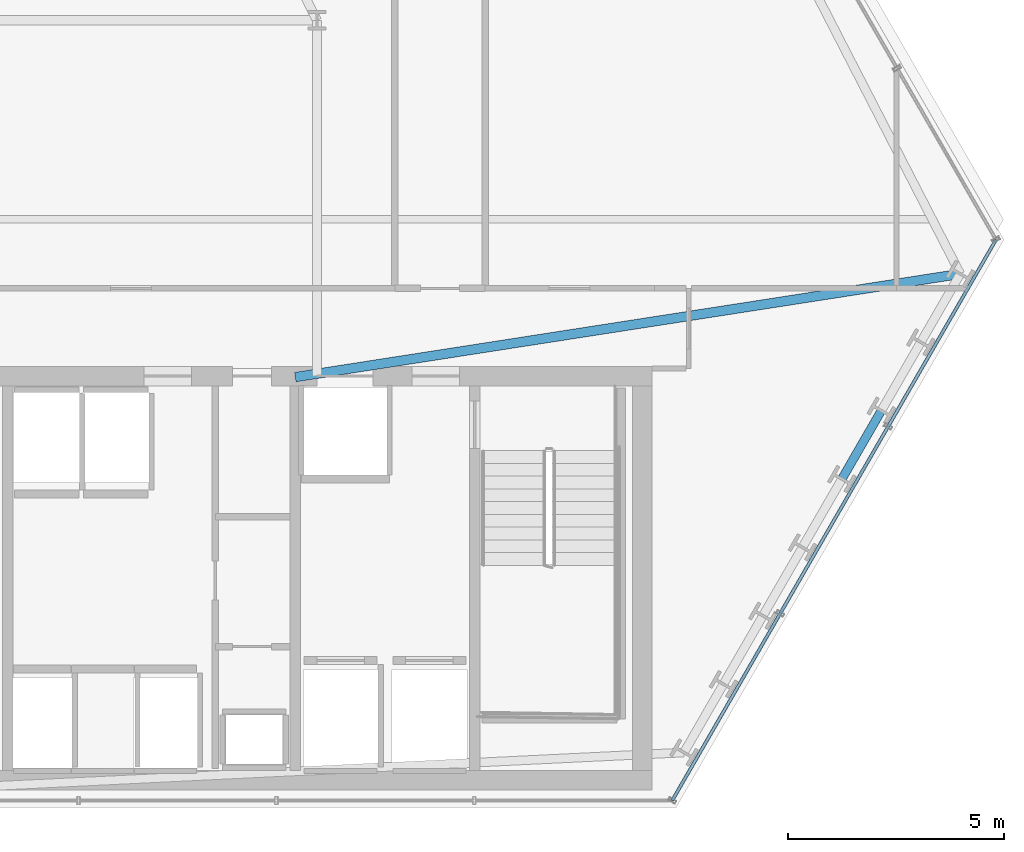
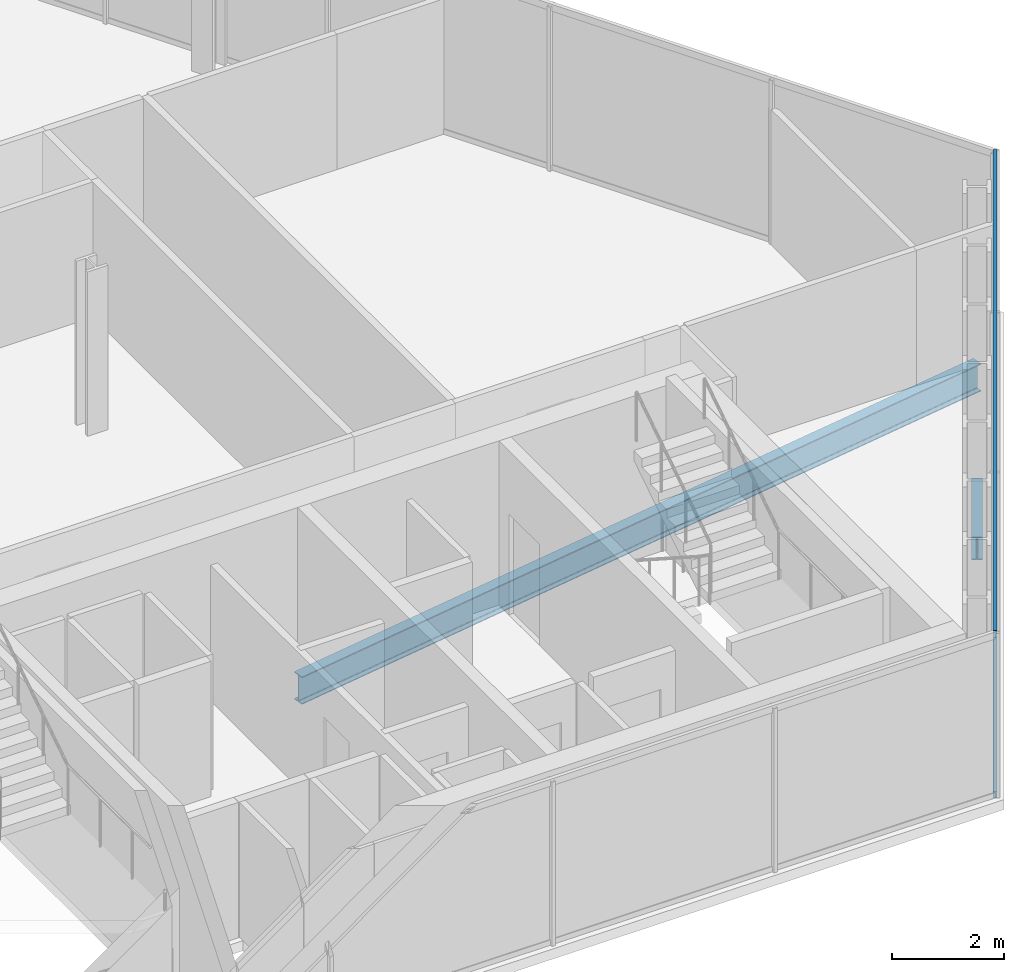
# One storey, part 17 of 32: 2 beams, 2 members, 1 element without a shape of its own.
"""IFC4 building model written with IfcOpenShell, lengths in metres."""

from ifc_helpers import new_model, si_unit, direction, frame, origin, origin_2d, place, context, subcontext, project, spatial, hollow_rectangle, i_section, extrude, material, layer, layer_set, material_profile, profile_set, type_object, element, aggregate, save


model = new_model("IFC4")

# Units and contexts
model_context = context("Model", 3, precision=1e-05, world=origin(), true_north=direction((0.0, 1.0)))
body_context = subcontext(model_context, "Body", "Model", "MODEL_VIEW")
ifc_project = project(units=[si_unit("LENGTHUNIT", "METRE"), si_unit("AREAUNIT", "SQUARE_METRE"), si_unit("VOLUMEUNIT", "CUBIC_METRE"), si_unit("PLANEANGLEUNIT", "RADIAN"), si_unit("MASSUNIT", "GRAM", prefix="KILO")], contexts=[model_context])

# Site, building, storey
site_placement = place(None, origin())
site = spatial("IfcSite", under=ifc_project, at=site_placement, CompositionType="ELEMENT")
building_placement = place(site_placement, origin())
building = spatial("IfcBuilding", under=site, at=building_placement, Name="Ndaravel Arena Tower", CompositionType="ELEMENT")
storey_placement = place(building_placement, frame((0.0, 0.0, 70.199951171875)))
storey = spatial("IfcBuildingStorey", under=building, at=storey_placement, Name="L15", CompositionType="ELEMENT", Elevation=70.199951171875)

# Beams
ifc_material_1 = material(Name="Steel S355", Category="steel")
ifc_material_profile_1 = material_profile(ifc_material_1, i_section(OverallWidth=0.219970703125, OverallDepth=0.60009765625, WebThickness=0.011962890625, FlangeThickness=0.01904296875, FilletRadius=0.02392578125, at=origin_2d()), Name="IPE 600")
ifc_profile_set_1 = profile_set([ifc_material_profile_1], Name="Steel S355")
beam_type_1 = type_object("IfcBeamType", Name="BM-GIRD-IPE600", PredefinedType="BEAM", material=ifc_profile_set_1)
beam_1_placement = place(storey_placement, frame((64.675537109375, 17.336669921875, -0.52001953125), z_axis=(-0.988165457606, -0.153391748127, 0.0), x_axis=(0.153391748127, -0.988165457606, 0.0)))
element("IfcBeam", 1, at=beam_1_placement, inside=storey, type_object=beam_type_1, Name="L15 Radial Floor Girder FG-09", PredefinedType="BEAM", context=body_context, shape_type="SweptSolid", body=[
    extrude(i_section(OverallWidth=0.219970703125, OverallDepth=0.60009765625, WebThickness=0.011962890625, FlangeThickness=0.01904296875, FilletRadius=0.02392578125, at=origin_2d()), origin(), (0.0, 0.0, 1.0), 15.5595703125),
])
ifc_material_2 = material(Name="Steel S355", Category="steel")
ifc_material_profile_2 = material_profile(ifc_material_2, i_section(OverallWidth=0.199951171875, OverallDepth=0.5, WebThickness=0.01025390625, FlangeThickness=0.01611328125, FilletRadius=0.02099609375, at=origin_2d()), Name="IPE 500")
ifc_profile_set_2 = profile_set([ifc_material_profile_2], Name="Steel S355")
beam_type_2 = type_object("IfcBeamType", Name="BM-SPAN-IPE500", PredefinedType="SPANDREL", material=ifc_profile_set_2)
beam_2_placement = place(storey_placement, frame((61.9375, 12.593994140625, -0.469970703125), z_axis=(0.499965592563, 0.866045268016, 0.0), x_axis=(-0.866045268016, 0.499965592563, 0.0)))
element("IfcBeam", 2, at=beam_2_placement, inside=storey, type_object=beam_type_2, Name="L15 Perimeter Spandrel Beam SP-06", PredefinedType="SPANDREL", context=body_context, shape_type="SweptSolid", body=[
    extrude(i_section(OverallWidth=0.199951171875, OverallDepth=0.5, WebThickness=0.01025390625, FlangeThickness=0.01611328125, FilletRadius=0.02099609375, at=origin_2d()), origin(), (0.0, 0.0, 1.0), 1.825439453125),
])

# Curtain wall, members
ifc_material_3 = material(Name="Aluminium", Category="aluminium")
ifc_layer = layer(ifc_material_3, 0.179931640625)
ifc_layer_set = layer_set([ifc_layer], Name="Aluminium")
curtain_wall_type = type_object("IfcCurtainWallType", Name="CW-SYS-01", PredefinedType="NOTDEFINED", material=ifc_layer_set)
curtain_wall_placement = place(storey_placement, origin())
curtain_wall = element("IfcCurtainWall", 3, at=curtain_wall_placement, inside=storey, type_object=curtain_wall_type, Name="L15 Faceted Crystal Curtain Wall CW-L15-E02", PredefinedType="NOTDEFINED")
ifc_material_4 = material(Name="Aluminium", Category="aluminium")
ifc_material_profile_3 = material_profile(ifc_material_4, hollow_rectangle(XDim=0.074951171875, YDim=0.14990234375, WallThickness=0.00390625, at=origin_2d()), Name="CW TRANSOM 75x150x4")
ifc_profile_set_3 = profile_set([ifc_material_profile_3], Name="Aluminium")
member_type = type_object("IfcMemberType", Name="MEM-CW-TRN150", PredefinedType="USERDEFINED", material=ifc_profile_set_3)
member_1_placement = place(storey_placement, frame((58.014892578125, 5.159912109375, 0.0400390625), z_axis=(0.499995326169, 0.866028102205, 0.0), x_axis=(-0.866028102205, 0.499995326169, 0.0)))
member_1 = element("IfcMember", 4, at=member_1_placement, type_object=member_type, Name="CW-L15-E02 Transom 01", ObjectType="TRANSOM", PredefinedType="USERDEFINED", context=body_context, shape_type="SweptSolid", body=[
    extrude(hollow_rectangle(XDim=0.074951171875, YDim=0.14990234375, WallThickness=0.00390625, at=origin_2d()), origin(), (0.0, 0.0, 1.0), 14.973388671875),
])
member_2_placement = place(storey_placement, frame((58.014892578125, 5.159912109375, 3.5400390625), z_axis=(0.499995326169, 0.866028102205, 0.0), x_axis=(-0.866028102205, 0.499995326169, 0.0)))
member_2 = element("IfcMember", 5, at=member_2_placement, type_object=member_type, Name="CW-L15-E02 Transom 02", ObjectType="TRANSOM", PredefinedType="USERDEFINED", context=body_context, shape_type="SweptSolid", body=[
    extrude(hollow_rectangle(XDim=0.074951171875, YDim=0.14990234375, WallThickness=0.00390625, at=origin_2d()), origin(), (0.0, 0.0, 1.0), 14.973388671875),
])
aggregate(curtain_wall, [member_1, member_2])

save(model, "model.ifc")
